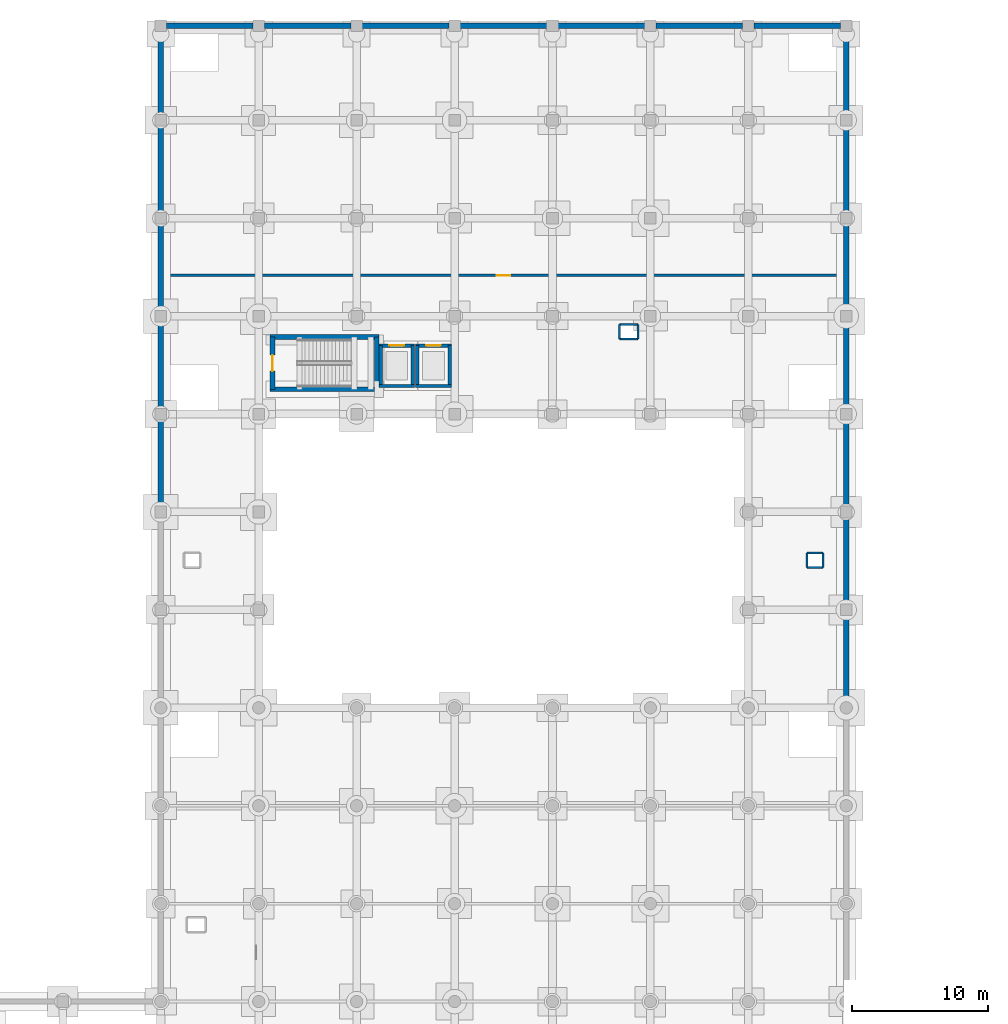
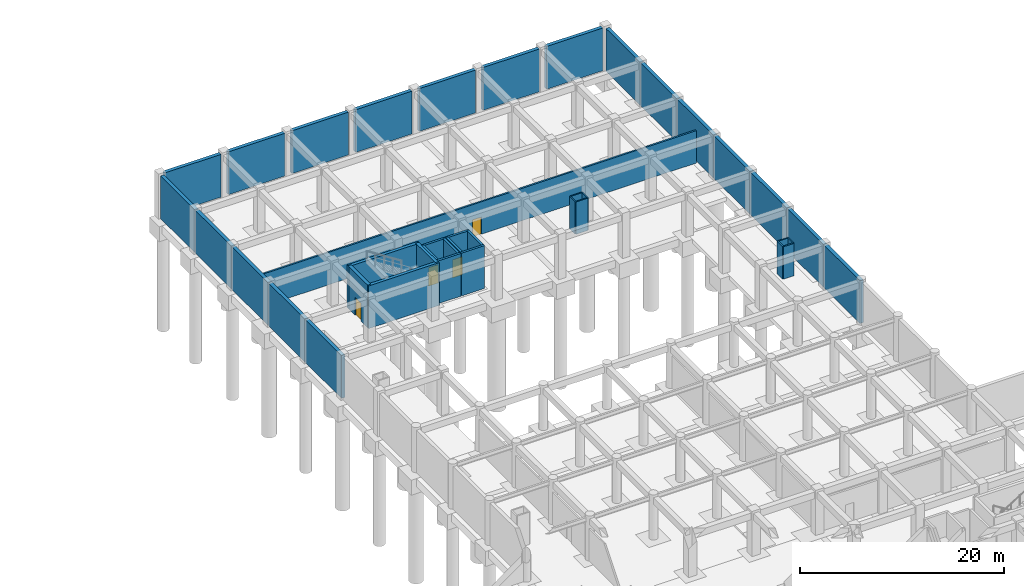
# One storey, part 17 of 26: 40 walls, 4 doors, 4 openings.
"""IFC4 building model written with IfcOpenShell, lengths in metres."""

from ifc_helpers import new_model, si_unit, direction, frame, frame_2d, origin, place, context, subcontext, project, spatial, rectangle, extrude, material, layer, layer_set, type_object, element, fill, save


model = new_model("IFC4")

# Units and contexts
model_context = context("Model", 3, precision=1e-05, world=origin(), true_north=direction((0.0, 1.0)))
body_context = subcontext(model_context, "Body", "Model", "MODEL_VIEW")
ifc_project = project(units=[si_unit("LENGTHUNIT", "METRE"), si_unit("AREAUNIT", "SQUARE_METRE"), si_unit("VOLUMEUNIT", "CUBIC_METRE"), si_unit("PLANEANGLEUNIT", "RADIAN"), si_unit("MASSUNIT", "GRAM", prefix="KILO")], contexts=[model_context])

# Site, building, storey
site_placement = place(None, origin())
site = spatial("IfcSite", under=ifc_project, at=site_placement, CompositionType="ELEMENT")
building_placement = place(site_placement, origin())
building = spatial("IfcBuilding", under=site, at=building_placement, Name="Kazehaya Institute of Natural Sciences", CompositionType="ELEMENT")
storey_placement = place(building_placement, frame((0.0, 0.0, -5.39990234375)))
storey = spatial("IfcBuildingStorey", under=building, at=storey_placement, Name="B1", CompositionType="ELEMENT", Elevation=-5.39990234375)

# Walls
ifc_material_1 = material(Name="Concrete Fc42", Category="concrete")
ifc_layer_1 = layer(ifc_material_1, 0.35009765625, Name="Concrete Fc42", Category="concrete")
ifc_layer_set_1 = layer_set([ifc_layer_1], Name="Concrete Fc42")
wall_type_1 = type_object("IfcWallType", Name="WL-CORE-350", PredefinedType="SHEAR", material=ifc_layer_set_1)
for number, where, z_axis, x_axis, name in (
    (1, (77.85498046875, 87.820068359375, 0.0), (0.0, 0.0, 1.0), (-1.0, 0.0, 0.0), "B1 ST-3 core wall S"),
    (2, (69.844970703125, 91.659912109375, 0.0), (0.0, 0.0, 1.0), (1.0, 0.0, 0.0), "B1 ST-3 core wall N"),
):
    element("IfcWall", number, at=place(storey_placement, frame(where, z_axis=z_axis, x_axis=x_axis)), inside=storey, type_object=wall_type_1, Name=name, PredefinedType="SHEAR", context=body_context, shape_type="SweptSolid", body=[
        extrude(rectangle(XDim=8.010009765625, YDim=0.35009765625, at=frame_2d((4.0048828125, 0.0))), origin(), (0.0, 0.0, 1.0), 5.119873046875),
    ])

# Wall, opening, door
wall_1_placement = place(storey_placement, frame((70.02001953125, 87.820068359375, 0.0), z_axis=(0.0, 0.0, 1.0), x_axis=(0.0, 1.0, 0.0)))
wall_1 = element("IfcWall", 3, at=wall_1_placement, inside=storey, type_object=wall_type_1, Name="B1 ST-3 core wall W", PredefinedType="SHEAR", context=body_context, shape_type="SweptSolid", body=[
    extrude(rectangle(XDim=3.83984375, YDim=0.35009765625, at=frame_2d((1.919921875, 0.0))), origin(), (0.0, 0.0, 1.0), 5.119873046875),
])
opening_1_placement = place(wall_1_placement, frame((1.330078125, 0.0, 0.0)))
opening_1 = element("IfcOpeningElement", 4, at=opening_1_placement, cuts=wall_1, Name="Opening D-ST-023", PredefinedType="OPENING", context=body_context, shape_type="SweptSolid", body=[
    extrude(rectangle(XDim=1.179931640625, YDim=2.179931640625, at=frame_2d((0.58984375, 1.08984375))), frame((0.0, 0.18505859375, 0.0), z_axis=(0.0, -1.0, 0.0), x_axis=(1.0, 0.0, 0.0)), (0.0, 0.0, 1.0), 0.3701171875),
])
ifc_material_2 = material(Name="Fire-rated steel acoustic door", Category="steel")
door_type_1 = type_object("IfcDoorType", Name="DT-FD-24", OperationType="NOTDEFINED", PredefinedType="DOOR", material=ifc_material_2)
door_1_placement = place(opening_1_placement, origin())
door_1 = element("IfcDoor", 5, at=door_1_placement, inside=storey, type_object=door_type_1, Name="B1 ST-3 stair enclosure door D-ST-023", OperationType="SINGLE_SWING_LEFT", OverallHeight=2.179931640625, OverallWidth=1.179931640625, PredefinedType="DOOR", context=body_context, shape_type="SweptSolid", body=[
    extrude(rectangle(XDim=1.179931640625, YDim=2.179931640625, at=frame_2d((0.58984375, 1.08984375))), frame((0.0, 0.02490234375, 0.0), z_axis=(0.0, -1.0, 0.0), x_axis=(1.0, 0.0, 0.0)), (0.0, 0.0, 1.0), 0.050048828125),
])
fill(opening_1, door_1)

# Wall
wall_2_placement = place(storey_placement, frame((77.679931640625, 91.659912109375, 0.0), z_axis=(0.0, 0.0, 1.0), x_axis=(0.0, -1.0, 0.0)))
element("IfcWall", 6, at=wall_2_placement, inside=storey, type_object=wall_type_1, Name="B1 ST-3 core wall E", PredefinedType="SHEAR", context=body_context, shape_type="SweptSolid", body=[
    extrude(rectangle(XDim=3.83984375, YDim=0.35009765625, at=frame_2d((1.919921875, 0.0))), origin(), (0.0, 0.0, 1.0), 5.119873046875),
])

# Wall, opening, door
ifc_material_3 = material(Name="Gypsum acoustic lab partition", Category="gypsum")
ifc_layer_2 = layer(ifc_material_3, 0.18994140625, Name="Gypsum acoustic lab partition", Category="gypsum")
ifc_layer_set_2 = layer_set([ifc_layer_2], Name="Gypsum acoustic lab partition")
wall_type_2 = type_object("IfcWallType", Name="WL-PART-190", PredefinedType="PARTITIONING", material=ifc_layer_set_2)
wall_3_placement = place(storey_placement, frame((111.85009765625, 96.199951171875, 0.0), z_axis=(0.0, 0.0, 1.0), x_axis=(-1.0, 0.0, 0.0)))
wall_3 = element("IfcWall", 7, at=wall_3_placement, inside=storey, type_object=wall_type_2, Name="B1 Archive and Geological Core Repository partition IW-B1-0033", PredefinedType="PARTITIONING", context=body_context, shape_type="SweptSolid", body=[
    extrude(rectangle(XDim=49.7001953125, YDim=0.18994140625, at=frame_2d((24.85009765625, 0.0))), origin(), (0.0, 0.0, 1.0), 3.8798828125),
])
opening_2_placement = place(wall_3_placement, frame((24.340087890625, 0.0, 0.0)))
opening_2 = element("IfcOpeningElement", 8, at=opening_2_placement, cuts=wall_3, Name="Opening D-B1-0052", PredefinedType="OPENING", context=body_context, shape_type="SweptSolid", body=[
    extrude(rectangle(XDim=1.02001953125, YDim=2.06005859375, at=frame_2d((0.510009765625, 1.030029296875))), frame((0.0, 0.10498046875, 0.0), z_axis=(0.0, -1.0, 0.0), x_axis=(1.0, 0.0, 0.0)), (0.0, 0.0, 1.0), 0.2099609375),
])
door_type_2 = type_object("IfcDoorType", Name="DT-FD-10", OperationType="NOTDEFINED", PredefinedType="DOOR", material=ifc_material_2)
door_2_placement = place(opening_2_placement, origin())
door_2 = element("IfcDoor", 9, at=door_2_placement, inside=storey, type_object=door_type_2, Name="B1 Archive and Geological Core Repository door D-B1-0052", OperationType="SINGLE_SWING_RIGHT", OverallHeight=2.06005859375, OverallWidth=1.02001953125, PredefinedType="DOOR", context=body_context, shape_type="SweptSolid", body=[
    extrude(rectangle(XDim=1.02001953125, YDim=2.06005859375, at=frame_2d((0.510009765625, 1.030029296875))), frame((0.0, 0.02490234375, 0.0), z_axis=(0.0, -1.0, 0.0), x_axis=(1.0, 0.0, 0.0)), (0.0, 0.0, 1.0), 0.050048828125),
])
fill(opening_2, door_2)

# Walls
ifc_layer_3 = layer(ifc_material_1, 0.389892578125, Name="Concrete Fc42", Category="concrete")
ifc_layer_set_3 = layer_set([ifc_layer_3], Name="Concrete Fc42")
wall_type_3 = type_object("IfcWallType", Name="WL-RET-390", PredefinedType="USERDEFINED", material=ifc_layer_set_3)
wall_4_placement = place(storey_placement, frame((61.800048828125, 78.675048828125, 0.0), z_axis=(0.0, 0.0, 1.0), x_axis=(0.0, 1.0, 0.0)))
element("IfcWall", 10, at=wall_4_placement, inside=storey, type_object=wall_type_3, Name="B1 exterior wall EW-B1-0042", ObjectType="RETAININGWALL", PredefinedType="USERDEFINED", context=body_context, shape_type="SweptSolid", body=[
    extrude(rectangle(XDim=7.175048828125, YDim=0.389892578125, at=frame_2d((3.58740234375, 0.0))), origin(), (0.0, 0.0, 1.0), 5.119873046875),
])
wall_5_placement = place(storey_placement, frame((61.800048828125, 85.85009765625, 0.0), z_axis=(0.0, 0.0, 1.0), x_axis=(0.0, 1.0, 0.0)))
element("IfcWall", 11, at=wall_5_placement, inside=storey, type_object=wall_type_3, Name="B1 exterior wall EW-B1-0043", ObjectType="RETAININGWALL", PredefinedType="USERDEFINED", context=body_context, shape_type="SweptSolid", body=[
    extrude(rectangle(XDim=7.1748046875, YDim=0.389892578125, at=frame_2d((3.58740234375, 0.0))), origin(), (0.0, 0.0, 1.0), 5.119873046875),
])
for number, where, z_axis, x_axis, name in (
    (12, (61.800048828125, 93.02490234375, 0.0), (0.0, 0.0, 1.0), (0.0, 1.0, 0.0), "B1 exterior wall EW-B1-0044"),
    (13, (61.800048828125, 100.199951171875, 0.0), (0.0, 0.0, 1.0), (0.0, 1.0, 0.0), "B1 exterior wall EW-B1-0045"),
):
    element("IfcWall", number, at=place(storey_placement, frame(where, z_axis=z_axis, x_axis=x_axis)), inside=storey, type_object=wall_type_3, Name=name, ObjectType="RETAININGWALL", PredefinedType="USERDEFINED", context=body_context, shape_type="SweptSolid", body=[
        extrude(rectangle(XDim=7.175048828125, YDim=0.389892578125, at=frame_2d((3.58740234375, 0.0))), origin(), (0.0, 0.0, 1.0), 5.119873046875),
    ])
wall_6_placement = place(storey_placement, frame((61.800048828125, 107.375, 0.0), z_axis=(0.0, 0.0, 1.0), x_axis=(0.0, 1.0, 0.0)))
element("IfcWall", 14, at=wall_6_placement, inside=storey, type_object=wall_type_3, Name="B1 exterior wall EW-B1-0046", ObjectType="RETAININGWALL", PredefinedType="USERDEFINED", context=body_context, shape_type="SweptSolid", body=[
    extrude(rectangle(XDim=6.764892578125, YDim=0.389892578125, at=frame_2d((3.38232421875, 0.0))), origin(), (0.0, 0.0, 1.0), 5.119873046875),
])
for number, where, z_axis, x_axis, name in (
    (15, (62.2099609375, 114.550048828125, 0.0), (0.0, 0.0, 1.0), (1.0, 0.0, 0.0), "B1 exterior wall EW-B1-0047"),
    (16, (69.409912109375, 114.550048828125, 0.0), (0.0, 0.0, 1.0), (1.0, 0.0, 0.0), "B1 exterior wall EW-B1-0048"),
):
    element("IfcWall", number, at=place(storey_placement, frame(where, z_axis=z_axis, x_axis=x_axis)), inside=storey, type_object=wall_type_3, Name=name, ObjectType="RETAININGWALL", PredefinedType="USERDEFINED", context=body_context, shape_type="SweptSolid", body=[
        extrude(rectangle(XDim=6.380126953125, YDim=0.389892578125, at=frame_2d((3.18994140625, 0.0))), origin(), (0.0, 0.0, 1.0), 5.119873046875),
    ])
for number, where, z_axis, x_axis, name in (
    (17, (76.610107421875, 114.550048828125, 0.0), (0.0, 0.0, 1.0), (1.0, 0.0, 0.0), "B1 exterior wall EW-B1-0049"),
    (18, (83.81005859375, 114.550048828125, 0.0), (0.0, 0.0, 1.0), (1.0, 0.0, 0.0), "B1 exterior wall EW-B1-0050"),
    (19, (91.010009765625, 114.550048828125, 0.0), (0.0, 0.0, 1.0), (1.0, 0.0, 0.0), "B1 exterior wall EW-B1-0051"),
):
    element("IfcWall", number, at=place(storey_placement, frame(where, z_axis=z_axis, x_axis=x_axis)), inside=storey, type_object=wall_type_3, Name=name, ObjectType="RETAININGWALL", PredefinedType="USERDEFINED", context=body_context, shape_type="SweptSolid", body=[
        extrude(rectangle(XDim=6.3798828125, YDim=0.389892578125, at=frame_2d((3.18994140625, 0.0))), origin(), (0.0, 0.0, 1.0), 5.119873046875),
    ])
for number, where, z_axis, x_axis, name in (
    (20, (98.2099609375, 114.550048828125, 0.0), (0.0, 0.0, 1.0), (1.0, 0.0, 0.0), "B1 exterior wall EW-B1-0052"),
    (21, (105.409912109375, 114.550048828125, 0.0), (0.0, 0.0, 1.0), (1.0, 0.0, 0.0), "B1 exterior wall EW-B1-0053"),
):
    element("IfcWall", number, at=place(storey_placement, frame(where, z_axis=z_axis, x_axis=x_axis)), inside=storey, type_object=wall_type_3, Name=name, ObjectType="RETAININGWALL", PredefinedType="USERDEFINED", context=body_context, shape_type="SweptSolid", body=[
        extrude(rectangle(XDim=6.380126953125, YDim=0.389892578125, at=frame_2d((3.18994140625, 0.0))), origin(), (0.0, 0.0, 1.0), 5.119873046875),
    ])
wall_7_placement = place(storey_placement, frame((112.199951171875, 114.139892578125, 0.0), z_axis=(0.0, 0.0, 1.0), x_axis=(0.0, -1.0, 0.0)))
element("IfcWall", 22, at=wall_7_placement, inside=storey, type_object=wall_type_3, Name="B1 exterior wall EW-B1-0054", ObjectType="RETAININGWALL", PredefinedType="USERDEFINED", context=body_context, shape_type="SweptSolid", body=[
    extrude(rectangle(XDim=6.764892578125, YDim=0.389892578125, at=frame_2d((3.38232421875, 0.0))), origin(), (0.0, 0.0, 1.0), 5.119873046875),
])
for number, where, z_axis, x_axis, name in (
    (23, (112.199951171875, 107.375, 0.0), (0.0, 0.0, 1.0), (0.0, -1.0, 0.0), "B1 exterior wall EW-B1-0055"),
    (24, (112.199951171875, 100.199951171875, 0.0), (0.0, 0.0, 1.0), (0.0, -1.0, 0.0), "B1 exterior wall EW-B1-0056"),
):
    element("IfcWall", number, at=place(storey_placement, frame(where, z_axis=z_axis, x_axis=x_axis)), inside=storey, type_object=wall_type_3, Name=name, ObjectType="RETAININGWALL", PredefinedType="USERDEFINED", context=body_context, shape_type="SweptSolid", body=[
        extrude(rectangle(XDim=7.175048828125, YDim=0.389892578125, at=frame_2d((3.58740234375, 0.0))), origin(), (0.0, 0.0, 1.0), 5.119873046875),
    ])
wall_8_placement = place(storey_placement, frame((112.199951171875, 93.02490234375, 0.0), z_axis=(0.0, 0.0, 1.0), x_axis=(0.0, -1.0, 0.0)))
element("IfcWall", 25, at=wall_8_placement, inside=storey, type_object=wall_type_3, Name="B1 exterior wall EW-B1-0057", ObjectType="RETAININGWALL", PredefinedType="USERDEFINED", context=body_context, shape_type="SweptSolid", body=[
    extrude(rectangle(XDim=7.1748046875, YDim=0.389892578125, at=frame_2d((3.58740234375, 0.0))), origin(), (0.0, 0.0, 1.0), 5.119873046875),
])
for number, where, z_axis, x_axis, name in (
    (26, (112.199951171875, 85.85009765625, 0.0), (0.0, 0.0, 1.0), (0.0, -1.0, 0.0), "B1 exterior wall EW-B1-0058"),
    (27, (112.199951171875, 78.675048828125, 0.0), (0.0, 0.0, 1.0), (0.0, -1.0, 0.0), "B1 exterior wall EW-B1-0059"),
    (28, (112.199951171875, 71.5, 0.0), (0.0, 0.0, 1.0), (0.0, -1.0, 0.0), "B1 exterior wall EW-B1-0060"),
):
    element("IfcWall", number, at=place(storey_placement, frame(where, z_axis=z_axis, x_axis=x_axis)), inside=storey, type_object=wall_type_3, Name=name, ObjectType="RETAININGWALL", PredefinedType="USERDEFINED", context=body_context, shape_type="SweptSolid", body=[
        extrude(rectangle(XDim=7.175048828125, YDim=0.389892578125, at=frame_2d((3.58740234375, 0.0))), origin(), (0.0, 0.0, 1.0), 5.119873046875),
    ])
ifc_material_4 = material(Name="Concrete Fc36", Category="concrete")
ifc_layer_4 = layer(ifc_material_4, 0.14990234375, Name="Concrete Fc36", Category="concrete")
ifc_layer_set_4 = layer_set([ifc_layer_4], Name="Concrete Fc36")
wall_type_4 = type_object("IfcWallType", Name="WL-RISER-150", PredefinedType="PARTITIONING", material=ifc_layer_set_4)
for number, where, z_axis, x_axis, name in (
    (29, (110.485107421875, 74.715087890625, 0.0), (0.0, 0.0, 1.0), (-1.0, 0.0, 0.0), "B1 fume exhaust riser shaft wall 8"),
    (30, (109.31494140625, 75.784912109375, 0.0), (0.0, 0.0, 1.0), (1.0, 0.0, 0.0), "B1 fume exhaust riser shaft wall 8"),
):
    element("IfcWall", number, at=place(storey_placement, frame(where, z_axis=z_axis, x_axis=x_axis)), inside=storey, type_object=wall_type_4, Name=name, PredefinedType="PARTITIONING", context=body_context, shape_type="SweptSolid", body=[
        extrude(rectangle(XDim=1.170166015625, YDim=0.14990234375, at=frame_2d((0.5849609375, 0.0))), origin(), (0.0, 0.0, 1.0), 3.8798828125),
    ])
for number, where, z_axis, x_axis, name in (
    (31, (109.31494140625, 74.715087890625, 0.0), (0.0, 0.0, 1.0), (0.0, 1.0, 0.0), "B1 fume exhaust riser shaft wall 8"),
    (32, (110.485107421875, 75.784912109375, 0.0), (0.0, 0.0, 1.0), (0.0, -1.0, 0.0), "B1 fume exhaust riser shaft wall 8"),
):
    element("IfcWall", number, at=place(storey_placement, frame(where, z_axis=z_axis, x_axis=x_axis)), inside=storey, type_object=wall_type_4, Name=name, PredefinedType="PARTITIONING", context=body_context, shape_type="SweptSolid", body=[
        extrude(rectangle(XDim=1.06982421875, YDim=0.14990234375, at=frame_2d((0.534912109375, 0.0))), origin(), (0.0, 0.0, 1.0), 3.8798828125),
    ])
for number, where, z_axis, x_axis, name in (
    (33, (96.885009765625, 91.514892578125, 0.0), (0.0, 0.0, 1.0), (-1.0, 0.0, 0.0), "B1 fume exhaust riser shaft wall 9"),
    (34, (95.514892578125, 92.5849609375, 0.0), (0.0, 0.0, 1.0), (1.0, 0.0, 0.0), "B1 fume exhaust riser shaft wall 9"),
):
    element("IfcWall", number, at=place(storey_placement, frame(where, z_axis=z_axis, x_axis=x_axis)), inside=storey, type_object=wall_type_4, Name=name, PredefinedType="PARTITIONING", context=body_context, shape_type="SweptSolid", body=[
        extrude(rectangle(XDim=1.3701171875, YDim=0.14990234375, at=frame_2d((0.68505859375, 0.0))), origin(), (0.0, 0.0, 1.0), 3.8798828125),
    ])
for number, where, z_axis, x_axis, name in (
    (35, (95.514892578125, 91.514892578125, 0.0), (0.0, 0.0, 1.0), (0.0, 1.0, 0.0), "B1 fume exhaust riser shaft wall 9"),
    (36, (96.885009765625, 92.5849609375, 0.0), (0.0, 0.0, 1.0), (0.0, -1.0, 0.0), "B1 fume exhaust riser shaft wall 9"),
):
    element("IfcWall", number, at=place(storey_placement, frame(where, z_axis=z_axis, x_axis=x_axis)), inside=storey, type_object=wall_type_4, Name=name, PredefinedType="PARTITIONING", context=body_context, shape_type="SweptSolid", body=[
        extrude(rectangle(XDim=1.070068359375, YDim=0.14990234375, at=frame_2d((0.53515625, 0.0))), origin(), (0.0, 0.0, 1.0), 3.8798828125),
    ])
ifc_layer_5 = layer(ifc_material_1, 0.25, Name="Concrete Fc42", Category="concrete")
ifc_layer_set_5 = layer_set([ifc_layer_5], Name="Concrete Fc42")
wall_type_5 = type_object("IfcWallType", Name="WL-SHAFT-250", PredefinedType="SHEAR", material=ifc_layer_set_5)
wall_9_placement = place(storey_placement, frame((80.4599609375, 88.06494140625, 0.0), z_axis=(0.0, 0.0, 1.0), x_axis=(-1.0, 0.0, 0.0)))
element("IfcWall", 37, at=wall_9_placement, inside=storey, type_object=wall_type_5, Name="B1 EL04 lift shaft wall south", PredefinedType="SHEAR", context=body_context, shape_type="SweptSolid", body=[
    extrude(rectangle(XDim=2.619873046875, YDim=0.25, at=frame_2d((1.31005859375, 0.0))), origin(), (0.0, 0.0, 1.0), 5.119873046875),
])

# Wall, opening, door
wall_10_placement = place(storey_placement, frame((77.840087890625, 91.034912109375, 0.0), z_axis=(0.0, 0.0, 1.0), x_axis=(1.0, 0.0, 0.0)))
wall_10 = element("IfcWall", 38, at=wall_10_placement, inside=storey, type_object=wall_type_5, Name="B1 EL04 lift shaft wall north", PredefinedType="SHEAR", context=body_context, shape_type="SweptSolid", body=[
    extrude(rectangle(XDim=2.619873046875, YDim=0.25, at=frame_2d((1.31005859375, 0.0))), origin(), (0.0, 0.0, 1.0), 5.119873046875),
])
opening_3_placement = place(wall_10_placement, frame((0.760009765625, 0.0, 0.0)))
opening_3 = element("IfcOpeningElement", 39, at=opening_3_placement, cuts=wall_10, Name="Opening LD-56", PredefinedType="OPENING", context=body_context, shape_type="SweptSolid", body=[
    extrude(rectangle(XDim=1.10009765625, YDim=2.199951171875, at=frame_2d((0.550048828125, 1.10009765625))), frame((0.0, 0.135009765625, 0.0), z_axis=(0.0, -1.0, 0.0), x_axis=(1.0, 0.0, 0.0)), (0.0, 0.0, 1.0), 0.27001953125),
])
ifc_material_5 = material(Name="Stainless-steel sliding landing door", Category="steel")
door_type_3 = type_object("IfcDoorType", Name="DT-LD-1100x2200", OperationType="SLIDING_TO_LEFT", PredefinedType="DOOR", material=ifc_material_5)
door_3_placement = place(opening_3_placement, origin())
door_3 = element("IfcDoor", 40, at=door_3_placement, inside=storey, type_object=door_type_3, Name="B1 EL04 sliding landing door LD-56", OperationType="SLIDING_TO_LEFT", OverallHeight=2.199951171875, OverallWidth=1.10009765625, PredefinedType="DOOR", context=body_context, shape_type="SweptSolid", body=[
    extrude(rectangle(XDim=1.10009765625, YDim=2.199951171875, at=frame_2d((0.550048828125, 1.10009765625))), frame((0.0, 0.02490234375, 0.0), z_axis=(0.0, -1.0, 0.0), x_axis=(1.0, 0.0, 0.0)), (0.0, 0.0, 1.0), 0.050048828125),
])
fill(opening_3, door_3)

# Walls
for number, where, z_axis, x_axis, name in (
    (41, (77.965087890625, 88.06494140625, 0.0), (0.0, 0.0, 1.0), (0.0, 1.0, 0.0), "B1 EL04 lift shaft wall west"),
    (42, (80.3349609375, 91.034912109375, 0.0), (0.0, 0.0, 1.0), (0.0, -1.0, 0.0), "B1 EL04 lift shaft wall east"),
):
    element("IfcWall", number, at=place(storey_placement, frame(where, z_axis=z_axis, x_axis=x_axis)), inside=storey, type_object=wall_type_5, Name=name, PredefinedType="SHEAR", context=body_context, shape_type="SweptSolid", body=[
        extrude(rectangle(XDim=2.969970703125, YDim=0.25, at=frame_2d((1.48486328125, 0.0))), origin(), (0.0, 0.0, 1.0), 5.119873046875),
    ])
wall_11_placement = place(storey_placement, frame((83.159912109375, 88.06494140625, 0.0), z_axis=(0.0, 0.0, 1.0), x_axis=(-1.0, 0.0, 0.0)))
element("IfcWall", 43, at=wall_11_placement, inside=storey, type_object=wall_type_5, Name="B1 EL05 lift shaft wall south", PredefinedType="SHEAR", context=body_context, shape_type="SweptSolid", body=[
    extrude(rectangle(XDim=2.619873046875, YDim=0.25, at=frame_2d((1.31005859375, 0.0))), origin(), (0.0, 0.0, 1.0), 5.119873046875),
])

# Wall, opening, door
wall_12_placement = place(storey_placement, frame((80.5400390625, 91.034912109375, 0.0), z_axis=(0.0, 0.0, 1.0), x_axis=(1.0, 0.0, 0.0)))
wall_12 = element("IfcWall", 44, at=wall_12_placement, inside=storey, type_object=wall_type_5, Name="B1 EL05 lift shaft wall north", PredefinedType="SHEAR", context=body_context, shape_type="SweptSolid", body=[
    extrude(rectangle(XDim=2.619873046875, YDim=0.25, at=frame_2d((1.31005859375, 0.0))), origin(), (0.0, 0.0, 1.0), 5.119873046875),
])
opening_4_placement = place(wall_12_placement, frame((0.760009765625, 0.0, 0.0)))
opening_4 = element("IfcOpeningElement", 45, at=opening_4_placement, cuts=wall_12, Name="Opening LD-64", PredefinedType="OPENING", context=body_context, shape_type="SweptSolid", body=[
    extrude(rectangle(XDim=1.10009765625, YDim=2.199951171875, at=frame_2d((0.550048828125, 1.10009765625))), frame((0.0, 0.135009765625, 0.0), z_axis=(0.0, -1.0, 0.0), x_axis=(1.0, 0.0, 0.0)), (0.0, 0.0, 1.0), 0.27001953125),
])
door_4_placement = place(opening_4_placement, origin())
door_4 = element("IfcDoor", 46, at=door_4_placement, inside=storey, type_object=door_type_3, Name="B1 EL05 sliding landing door LD-64", OperationType="SLIDING_TO_LEFT", OverallHeight=2.199951171875, OverallWidth=1.10009765625, PredefinedType="DOOR", context=body_context, shape_type="SweptSolid", body=[
    extrude(rectangle(XDim=1.10009765625, YDim=2.199951171875, at=frame_2d((0.550048828125, 1.10009765625))), frame((0.0, 0.02490234375, 0.0), z_axis=(0.0, -1.0, 0.0), x_axis=(1.0, 0.0, 0.0)), (0.0, 0.0, 1.0), 0.050048828125),
])
fill(opening_4, door_4)

# Walls
for number, where, z_axis, x_axis, name in (
    (47, (80.6650390625, 88.06494140625, 0.0), (0.0, 0.0, 1.0), (0.0, 1.0, 0.0), "B1 EL05 lift shaft wall west"),
    (48, (83.034912109375, 91.034912109375, 0.0), (0.0, 0.0, 1.0), (0.0, -1.0, 0.0), "B1 EL05 lift shaft wall east"),
):
    element("IfcWall", number, at=place(storey_placement, frame(where, z_axis=z_axis, x_axis=x_axis)), inside=storey, type_object=wall_type_5, Name=name, PredefinedType="SHEAR", context=body_context, shape_type="SweptSolid", body=[
        extrude(rectangle(XDim=2.969970703125, YDim=0.25, at=frame_2d((1.48486328125, 0.0))), origin(), (0.0, 0.0, 1.0), 5.119873046875),
    ])

save(model, "model.ifc")
